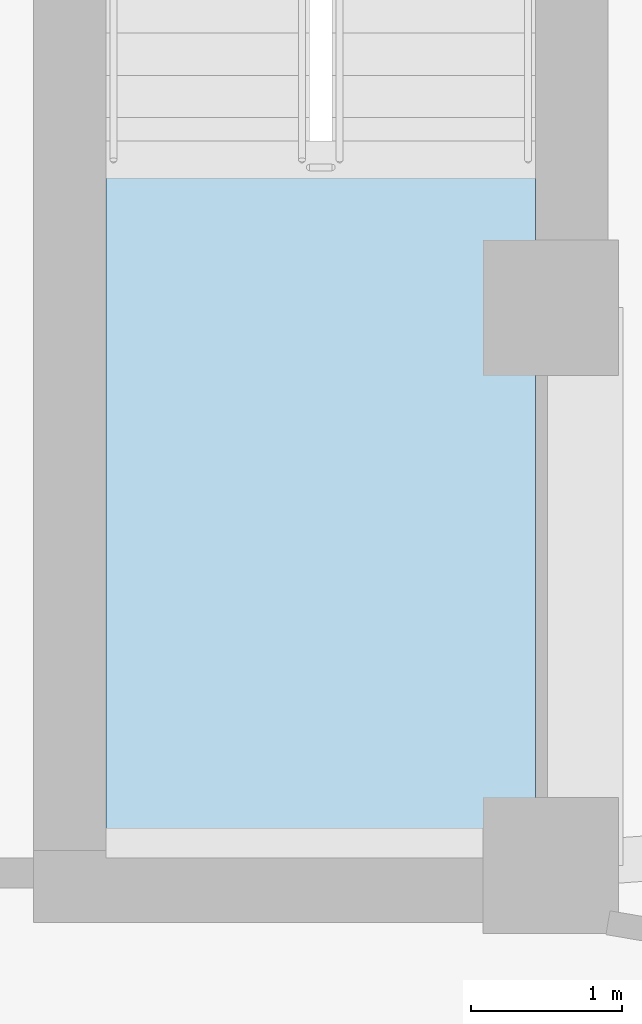
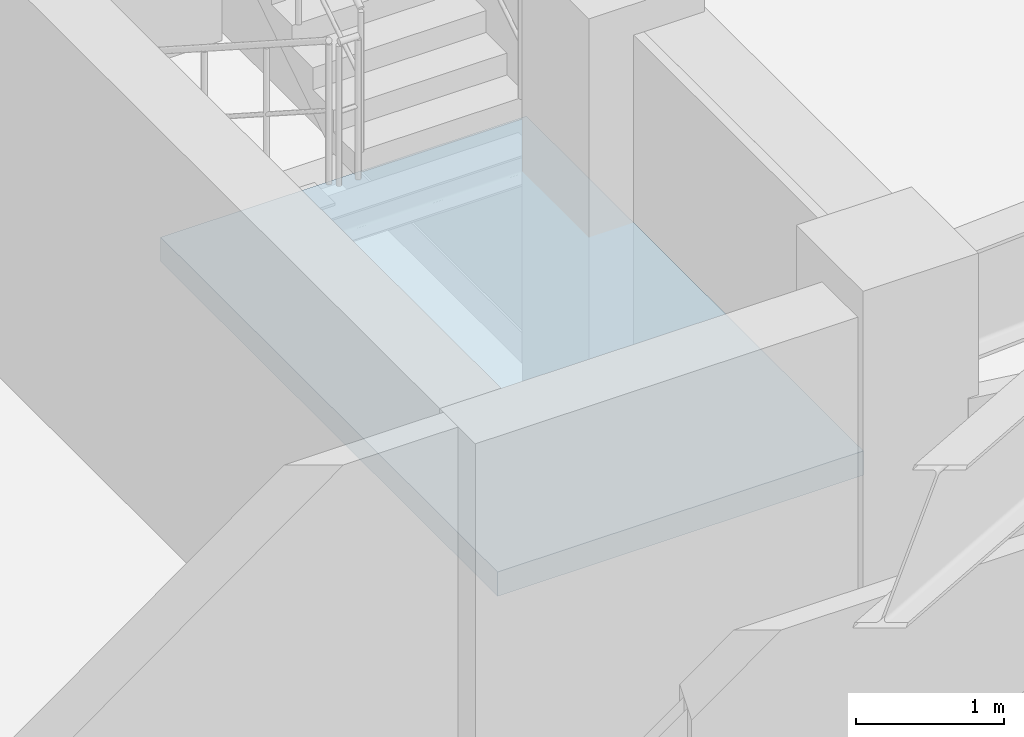
# One storey, part 3 of 13: 1 slab, 1 element without a shape of its own.
"""IFC4 building model written with IfcOpenShell, lengths in metres."""

from ifc_helpers import new_model, si_unit, direction, frame, origin, place, context, subcontext, project, spatial, polyline, outline, extrude, material, layer, layer_set, type_object, element, aggregate, save


model = new_model("IFC4")

# Units and contexts
model_context = context("Model", 3, precision=1e-05, world=origin(), true_north=direction((0.0, 1.0)))
body_context = subcontext(model_context, "Body", "Model", "MODEL_VIEW")
ifc_project = project(units=[si_unit("LENGTHUNIT", "METRE"), si_unit("AREAUNIT", "SQUARE_METRE"), si_unit("VOLUMEUNIT", "CUBIC_METRE"), si_unit("PLANEANGLEUNIT", "RADIAN"), si_unit("MASSUNIT", "GRAM", prefix="KILO")], contexts=[model_context])

# Site, building, storey
site_placement = place(None, origin())
site = spatial("IfcSite", under=ifc_project, at=site_placement, CompositionType="ELEMENT")
building_placement = place(site_placement, origin())
building = spatial("IfcBuilding", under=site, at=building_placement, Name="Miruveldt Soraemaru", CompositionType="ELEMENT")
storey_placement = place(building_placement, frame((0.0, 0.0, 198.0)))
storey = spatial("IfcBuildingStorey", under=building, at=storey_placement, Name="L54", CompositionType="ELEMENT", Elevation=198.0)

# Stair, slab
ifc_material = material(Name="Concrete C40/50 (40 MPa)", Category="concrete")
stair_type = type_object("IfcStairType", Name="STAIR-DL-360", PredefinedType="HALF_TURN_STAIR", material=ifc_material)
stair_placement = place(storey_placement, origin())
stair = element("IfcStair", 1, at=stair_placement, inside=storey, type_object=stair_type, Name="L54 Protected Exit Stair ST-2", PredefinedType="HALF_TURN_STAIR")
ifc_layer = layer(ifc_material, 0.199951171875, Name="Concrete C40/50 (40 MPa)", Category="concrete")
ifc_layer_set = layer_set([ifc_layer], Name="Concrete C40/50 (40 MPa)")
slab_type = type_object("IfcSlabType", Name="SLAB-LAND-200", PredefinedType="LANDING", material=ifc_layer_set)
slab_placement = place(storey_placement, frame((0.0, 0.0, 1.60009765625)))
slab = element("IfcSlab", 2, at=slab_placement, type_object=slab_type, Name="ST-2 landing 1", PredefinedType="LANDING", context=body_context, shape_type="SweptSolid", body=[
    extrude(outline(polyline([(49.550048828125, 40.197998046875), (49.550048828125, 35.64990234375), (52.39990234375, 35.64990234375), (52.39990234375, 40.197998046875), (49.550048828125, 40.197998046875)])), origin(), (0.0, 0.0, 1.0), 0.199951171875),
])
aggregate(stair, [slab])

save(model, "model.ifc")
